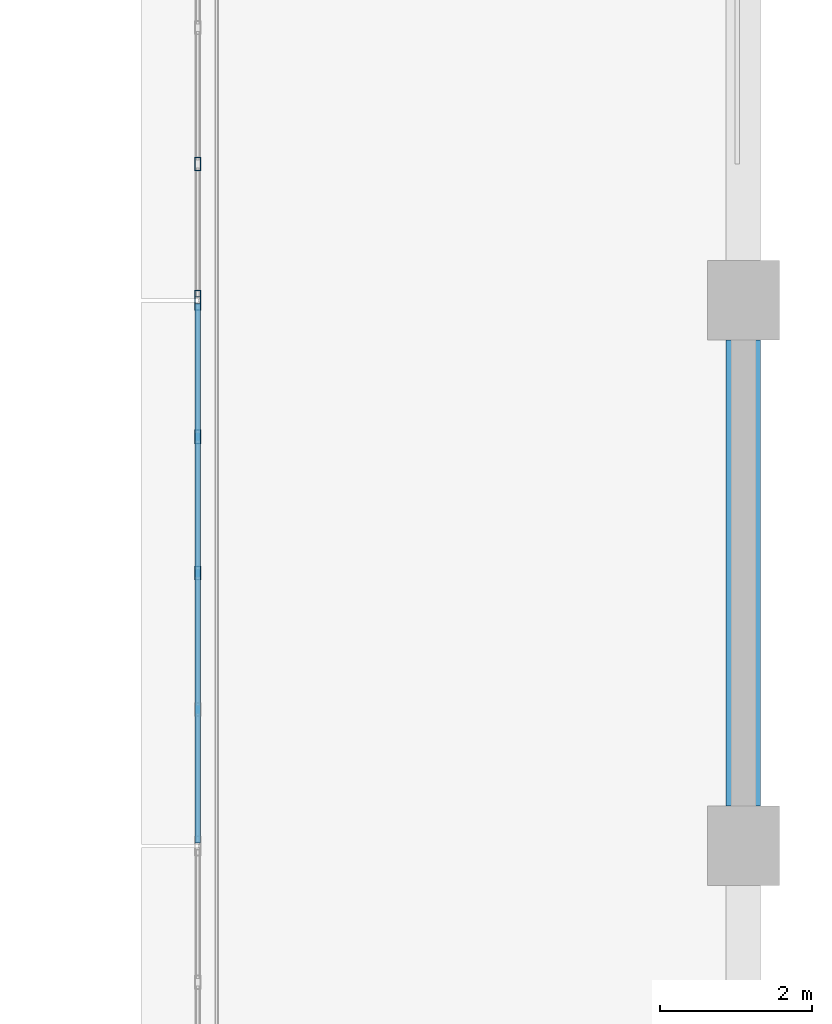
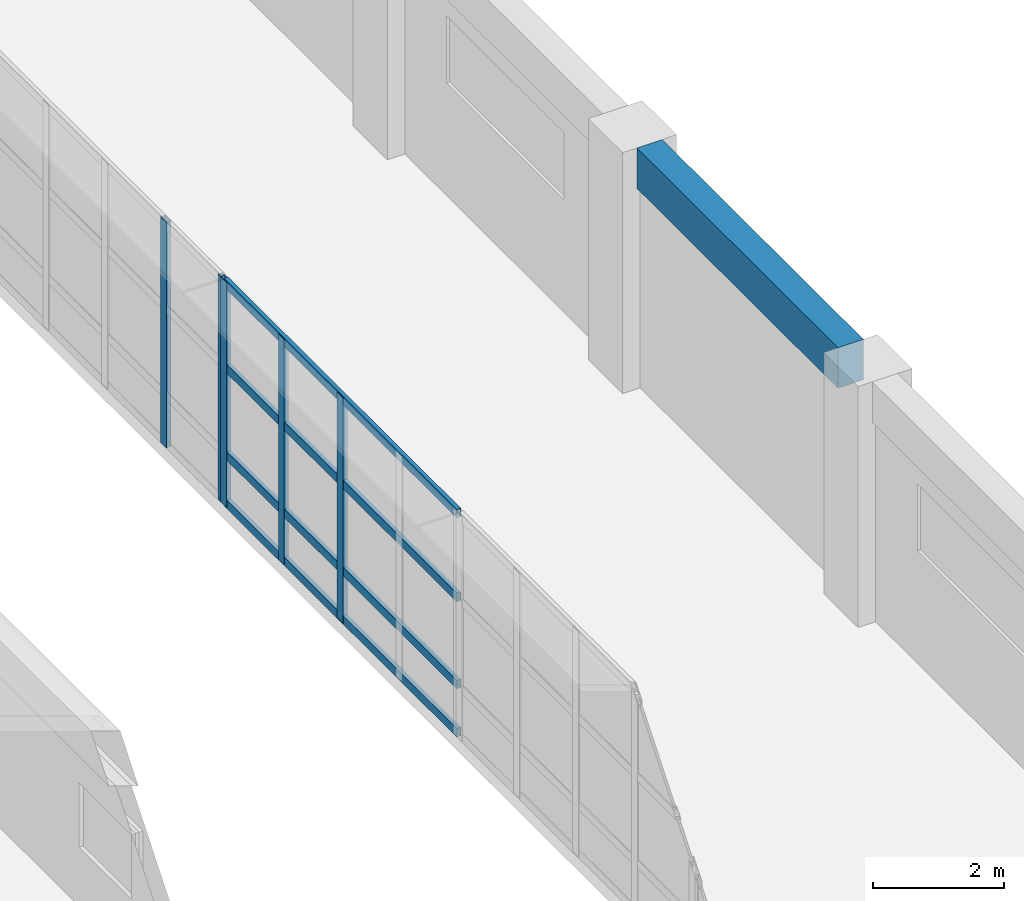
# One storey, part 93 of 171: 9 members, 1 beam, 2 elements without a shape of their own.
"""IFC4 building model written with IfcOpenShell, lengths in metres."""

from ifc_helpers import new_model, si_unit, direction, frame, origin, origin_2d, place, context, subcontext, project, spatial, rectangle, hollow_rectangle, extrude, material, material_profile, profile_set, type_object, element, aggregate, save


model = new_model("IFC4")

# Units and contexts
model_context = context("Model", 3, precision=1e-05, world=origin(), true_north=direction((0.0, 1.0)))
body_context = subcontext(model_context, "Body", "Model", "MODEL_VIEW")
ifc_project = project(units=[si_unit("LENGTHUNIT", "METRE"), si_unit("AREAUNIT", "SQUARE_METRE"), si_unit("VOLUMEUNIT", "CUBIC_METRE"), si_unit("PLANEANGLEUNIT", "RADIAN"), si_unit("MASSUNIT", "GRAM", prefix="KILO")], contexts=[model_context])

# Site, building, storey
site_placement = place(None, origin())
site = spatial("IfcSite", under=ifc_project, at=site_placement, CompositionType="ELEMENT")
building_placement = place(site_placement, origin())
building = spatial("IfcBuilding", under=site, at=building_placement, Name="Thalmaran Polytechnic", CompositionType="ELEMENT")
storey_placement = place(building_placement, frame((0.0, 0.0, 5.39990234375)))
storey = spatial("IfcBuildingStorey", under=building, at=storey_placement, Name="L01", CompositionType="ELEMENT", Elevation=5.39990234375)

# Beam
ifc_material_1 = material(Name="Concrete C40/50", Category="concrete")
ifc_material_profile_1 = material_profile(ifc_material_1, rectangle(XDim=0.449951171875, YDim=0.7548828125, at=origin_2d()), Name="RC 450x755")
ifc_profile_set_1 = profile_set([ifc_material_profile_1], Name="Concrete C40/50")
beam_type = type_object("IfcBeamType", Name="BM-SP02", PredefinedType="SPANDREL", material=ifc_profile_set_1)
beam_placement = place(storey_placement, frame((172.800048828125, 22.125, 4.12255859375), z_axis=(0.0, 1.0, 0.0), x_axis=(-1.0, 0.0, 0.0)))
element("IfcBeam", 1, at=beam_placement, inside=storey, type_object=beam_type, Name="Grid Beam SP02 L01 Y(24,3)", PredefinedType="SPANDREL", context=body_context, shape_type="SweptSolid", body=[
    extrude(rectangle(XDim=0.449951171875, YDim=0.7548828125, at=origin_2d()), origin(), (0.0, 0.0, 1.0), 6.14990234375),
])

# Curtain wall, members
ifc_material_2 = material(Name="Aluminium 6063-T6", Category="aluminium")
curtain_wall_type = type_object("IfcCurtainWallType", Name="CW-UC02", PredefinedType="USERDEFINED", material=ifc_material_2)
curtain_wall_1_placement = place(storey_placement, origin())
curtain_wall_1 = element("IfcCurtainWall", 2, at=curtain_wall_1_placement, inside=storey, type_object=curtain_wall_type, Name="Curtain Wall CW-L01-120", ObjectType="UNITISED CURTAIN WALL", PredefinedType="USERDEFINED")
ifc_material_profile_2 = material_profile(ifc_material_2, hollow_rectangle(XDim=0.080078125, YDim=0.179931640625, WallThickness=0.0048828125, at=origin_2d()), Name="RHS 180x80x5.0")
ifc_profile_set_2 = profile_set([ifc_material_profile_2], Name="Aluminium 6063-T6")
member_type_1 = type_object("IfcMemberType", Name="CW-MUL1", PredefinedType="MULLION", material=ifc_profile_set_2)
member_1_placement = place(storey_placement, frame((165.60009765625, 25.199951171875, 0.0), z_axis=(0.0, 0.0, 1.0), x_axis=(1.0, 0.0, 0.0)))
member_1 = element("IfcMember", 3, at=member_1_placement, type_object=member_type_1, Name="CW-L01-120 Mullion 3", PredefinedType="MULLION", context=body_context, shape_type="SweptSolid", body=[
    extrude(hollow_rectangle(XDim=0.080078125, YDim=0.179931640625, WallThickness=0.0048828125, at=origin_2d()), origin(), (0.0, 0.0, 1.0), 4.210205078125),
])
member_2_placement = place(storey_placement, frame((165.60009765625, 27.0, 0.0), z_axis=(0.0, 0.0, 1.0), x_axis=(1.0, 0.0, 0.0)))
member_2 = element("IfcMember", 4, at=member_2_placement, type_object=member_type_1, Name="CW-L01-120 Mullion 4", PredefinedType="MULLION", context=body_context, shape_type="SweptSolid", body=[
    extrude(hollow_rectangle(XDim=0.080078125, YDim=0.179931640625, WallThickness=0.0048828125, at=origin_2d()), origin(), (0.0, 0.0, 1.0), 4.210205078125),
])
member_3_placement = place(storey_placement, frame((165.60009765625, 28.760009765625, 0.0), z_axis=(0.0, 0.0, 1.0), x_axis=(1.0, 0.0, 0.0)))
member_3 = element("IfcMember", 5, at=member_3_placement, type_object=member_type_1, Name="CW-L01-120 Mullion 5", PredefinedType="MULLION", context=body_context, shape_type="SweptSolid", body=[
    extrude(hollow_rectangle(XDim=0.080078125, YDim=0.179931640625, WallThickness=0.0048828125, at=origin_2d()), origin(), (0.0, 0.0, 1.0), 4.210205078125),
])

curtain_wall_2_placement = place(storey_placement, origin())
curtain_wall_2 = element("IfcCurtainWall", 6, at=curtain_wall_2_placement, inside=storey, type_object=curtain_wall_type, Name="Curtain Wall CW-L01-121", ObjectType="UNITISED CURTAIN WALL", PredefinedType="USERDEFINED")
member_4_placement = place(storey_placement, frame((165.60009765625, 28.840087890625, 0.0), z_axis=(0.0, 0.0, 1.0), x_axis=(1.0, 0.0, 0.0)))
member_4 = element("IfcMember", 7, at=member_4_placement, type_object=member_type_1, Name="CW-L01-121 Mullion 1", PredefinedType="MULLION", context=body_context, shape_type="SweptSolid", body=[
    extrude(hollow_rectangle(XDim=0.080078125, YDim=0.179931640625, WallThickness=0.0048828125, at=origin_2d()), origin(), (0.0, 0.0, 1.0), 4.210205078125),
])
member_5_placement = place(storey_placement, frame((165.60009765625, 30.60009765625, 0.0), z_axis=(0.0, 0.0, 1.0), x_axis=(1.0, 0.0, 0.0)))
member_5 = element("IfcMember", 8, at=member_5_placement, type_object=member_type_1, Name="CW-L01-121 Mullion 2", PredefinedType="MULLION", context=body_context, shape_type="SweptSolid", body=[
    extrude(hollow_rectangle(XDim=0.080078125, YDim=0.179931640625, WallThickness=0.0048828125, at=origin_2d()), origin(), (0.0, 0.0, 1.0), 4.210205078125),
])
aggregate(curtain_wall_2, [member_4, member_5])

# Member
ifc_material_profile_3 = material_profile(ifc_material_2, hollow_rectangle(XDim=0.070068359375, YDim=0.159912109375, WallThickness=0.00390625, at=origin_2d()), Name="AL 160x70x4.0")
ifc_profile_set_3 = profile_set([ifc_material_profile_3], Name="Aluminium 6063-T6")
member_type_2 = type_object("IfcMemberType", Name="CW-TRN1", PredefinedType="USERDEFINED", material=ifc_profile_set_3)
member_6_placement = place(storey_placement, frame((165.60009765625, 21.639892578125, 0.06005859375), z_axis=(0.0, 1.0, 0.0), x_axis=(-1.0, 0.0, 0.0)))
member_6 = element("IfcMember", 9, at=member_6_placement, type_object=member_type_2, Name="CW-L01-120 Transom 1", ObjectType="TRANSOM", PredefinedType="USERDEFINED", context=body_context, shape_type="SweptSolid", body=[
    extrude(hollow_rectangle(XDim=0.070068359375, YDim=0.159912109375, WallThickness=0.00390625, at=origin_2d()), origin(), (0.0, 0.0, 1.0), 7.1201171875),
])

member_7_placement = place(storey_placement, frame((165.60009765625, 21.639892578125, 0.960205078125), z_axis=(0.0, 1.0, 0.0), x_axis=(-1.0, 0.0, 0.0)))
member_7 = element("IfcMember", 10, at=member_7_placement, type_object=member_type_2, Name="CW-L01-120 Transom 2", ObjectType="TRANSOM", PredefinedType="USERDEFINED", context=body_context, shape_type="SweptSolid", body=[
    extrude(hollow_rectangle(XDim=0.070068359375, YDim=0.159912109375, WallThickness=0.00390625, at=origin_2d()), origin(), (0.0, 0.0, 1.0), 7.1201171875),
])

member_8_placement = place(storey_placement, frame((165.60009765625, 21.639892578125, 2.585205078125), z_axis=(0.0, 1.0, 0.0), x_axis=(-1.0, 0.0, 0.0)))
member_8 = element("IfcMember", 11, at=member_8_placement, type_object=member_type_2, Name="CW-L01-120 Transom 3", ObjectType="TRANSOM", PredefinedType="USERDEFINED", context=body_context, shape_type="SweptSolid", body=[
    extrude(hollow_rectangle(XDim=0.070068359375, YDim=0.159912109375, WallThickness=0.00390625, at=origin_2d()), origin(), (0.0, 0.0, 1.0), 7.1201171875),
])

member_9_placement = place(storey_placement, frame((165.60009765625, 21.639892578125, 4.150146484375), z_axis=(0.0, 1.0, 0.0), x_axis=(-1.0, 0.0, 0.0)))
member_9 = element("IfcMember", 12, at=member_9_placement, type_object=member_type_2, Name="CW-L01-120 Transom 4", ObjectType="TRANSOM", PredefinedType="USERDEFINED", context=body_context, shape_type="SweptSolid", body=[
    extrude(hollow_rectangle(XDim=0.070068359375, YDim=0.159912109375, WallThickness=0.00390625, at=origin_2d()), origin(), (0.0, 0.0, 1.0), 7.1201171875),
])

aggregate(curtain_wall_1, [member_1, member_2, member_3, member_6, member_7, member_8, member_9])

save(model, "model.ifc")
